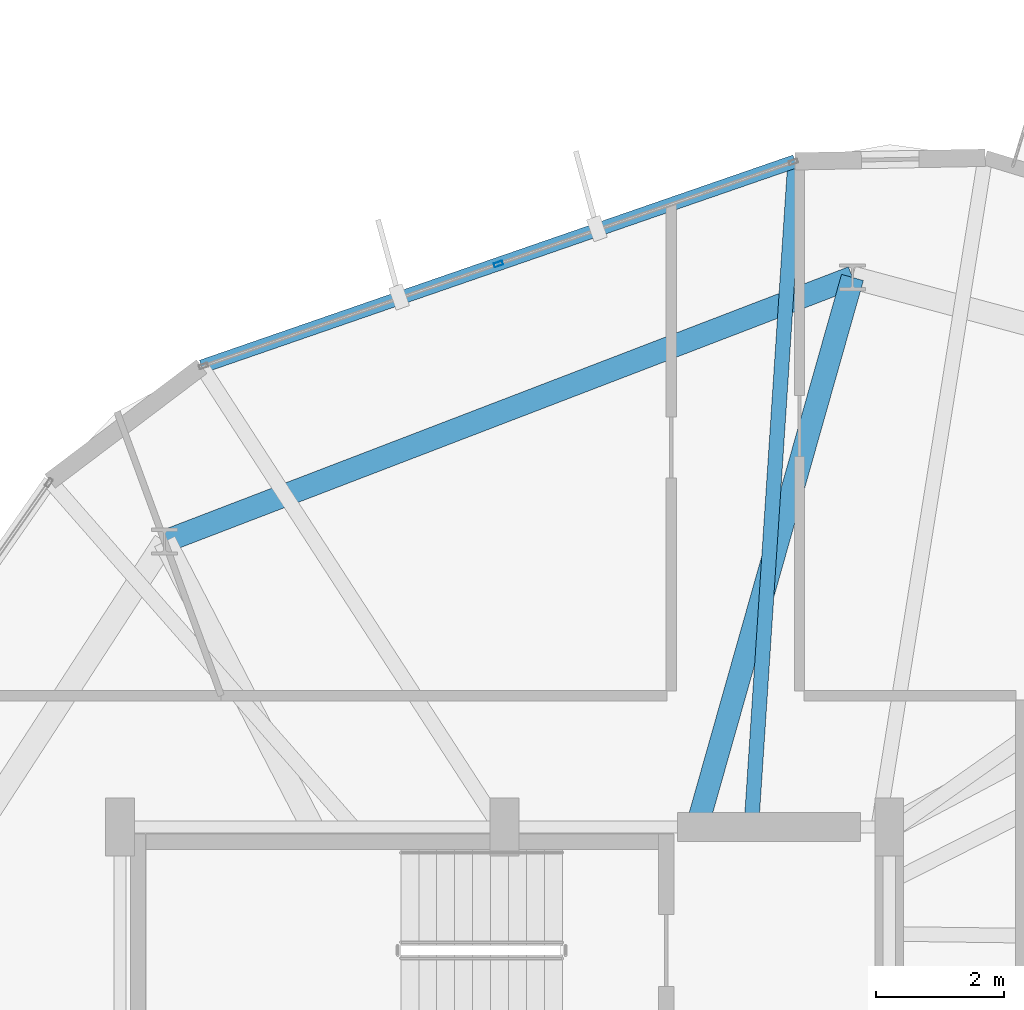
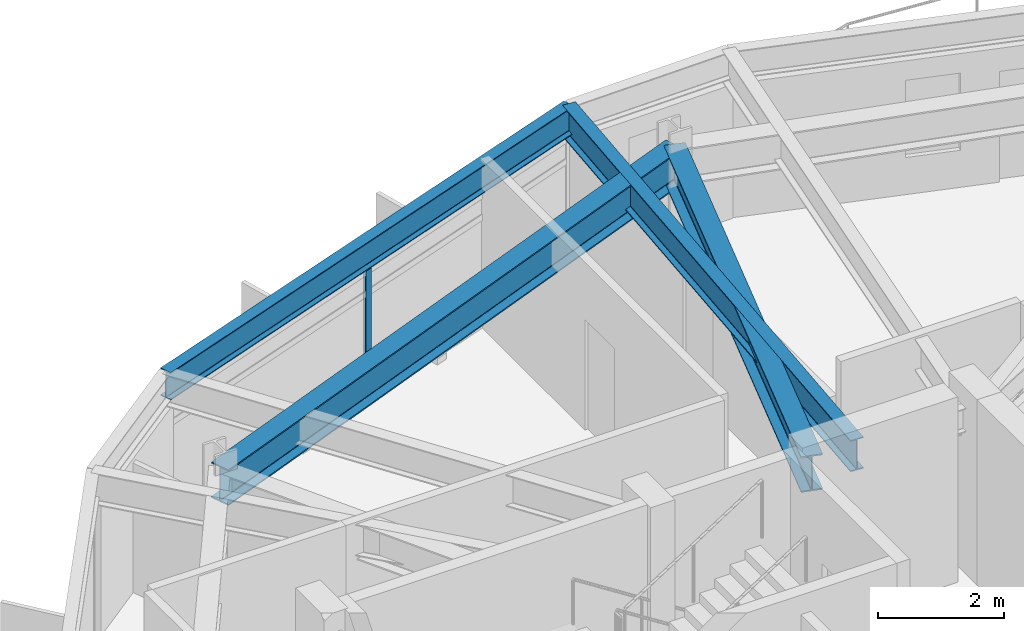
# One storey, part 21 of 34: 4 beams, 1 member, 1 element without a shape of its own.
"""IFC4 building model written with IfcOpenShell, lengths in metres."""

from ifc_helpers import new_model, si_unit, direction, frame, origin, origin_2d, place, context, subcontext, project, spatial, hollow_rectangle, i_section, extrude, material, layer, layer_set, material_profile, profile_set, type_object, element, aggregate, save


model = new_model("IFC4")

# Units and contexts
model_context = context("Model", 3, precision=1e-05, world=origin(), true_north=direction((0.0, 1.0)))
body_context = subcontext(model_context, "Body", "Model", "MODEL_VIEW")
ifc_project = project(units=[si_unit("LENGTHUNIT", "METRE"), si_unit("AREAUNIT", "SQUARE_METRE"), si_unit("VOLUMEUNIT", "CUBIC_METRE"), si_unit("PLANEANGLEUNIT", "RADIAN"), si_unit("MASSUNIT", "GRAM", prefix="KILO")], contexts=[model_context])

# Site, building, storey
site_placement = place(None, origin())
site = spatial("IfcSite", under=ifc_project, at=site_placement, CompositionType="ELEMENT")
building_placement = place(site_placement, origin())
building = spatial("IfcBuilding", under=site, at=building_placement, Name="Soratama Intermodal Tower", CompositionType="ELEMENT")
storey_placement = place(building_placement, frame((0.0, 0.0, 233.800048828125)))
storey = spatial("IfcBuildingStorey", under=building, at=storey_placement, Name="L59", CompositionType="ELEMENT", Elevation=233.800048828125)

# Beams
ifc_material_1 = material(Name="Structural steel ASTM A992 Grade 50", Category="steel")
ifc_material_profile_1 = material_profile(ifc_material_1, i_section(OverallWidth=0.35498046875, OverallDepth=0.695068359375, WebThickness=0.015380859375, FlangeThickness=0.02490234375, FilletRadius=0.01611328125, at=origin_2d()), Name="W27X146")
ifc_profile_set_1 = profile_set([ifc_material_profile_1], Name="Structural steel ASTM A992 Grade 50")
beam_type_1 = type_object("IfcBeamType", Name="BM-RING-W27X146", PredefinedType="BEAM", material=ifc_profile_set_1)
beam_1_placement = place(storey_placement, frame((44.027099609375, 43.574951171875, 2.87255859375), z_axis=(-0.933575304305, -0.358381293026, 0.0), x_axis=(0.358381293026, -0.933575304305, 0.0)))
element("IfcBeam", 1, at=beam_1_placement, inside=storey, type_object=beam_type_1, Name="BM-L59-RING-03", PredefinedType="BEAM", context=body_context, shape_type="SweptSolid", body=[
    extrude(i_section(OverallWidth=0.35498046875, OverallDepth=0.695068359375, WebThickness=0.015380859375, FlangeThickness=0.02490234375, FilletRadius=0.01611328125, at=origin_2d()), origin(), (0.0, 0.0, 1.0), 11.495849609375),
])
beam_2_placement = place(storey_placement, frame((41.60009765625, 35.0, 2.87255859375), z_axis=(0.272335865412, 0.96220225338, 0.0), x_axis=(-0.96220225338, 0.272335865412, 0.0)))
element("IfcBeam", 2, at=beam_2_placement, inside=storey, type_object=beam_type_1, Name="BM-L59-RAD-03", PredefinedType="BEAM", context=body_context, shape_type="SweptSolid", body=[
    extrude(i_section(OverallWidth=0.35498046875, OverallDepth=0.695068359375, WebThickness=0.015380859375, FlangeThickness=0.02490234375, FilletRadius=0.01611328125, at=origin_2d()), origin(), (0.0, 0.0, 1.0), 8.911865234375),
])
ifc_material_2 = material(Name="Structural steel ASTM A992 Grade 50", Category="steel")
ifc_material_profile_2 = material_profile(ifc_material_2, i_section(OverallWidth=0.2099609375, OverallDepth=0.537109375, WebThickness=0.010986328125, FlangeThickness=0.017333984375, FilletRadius=0.012939453125, at=origin_2d()), Name="W21X68")
ifc_profile_set_2 = profile_set([ifc_material_profile_2], Name="Structural steel ASTM A992 Grade 50")
beam_type_2 = type_object("IfcBeamType", Name="BM-SPN-W21X68", PredefinedType="SPANDREL", material=ifc_profile_set_2)
beam_3_placement = place(storey_placement, frame((43.132080078125, 45.385986328125, 2.951416015625), z_axis=(-0.945085281388, -0.326823822423, 0.0), x_axis=(0.326823822423, -0.945085281388, 0.0)))
element("IfcBeam", 3, at=beam_3_placement, inside=storey, type_object=beam_type_2, Name="BS-L59-F02", PredefinedType="SPANDREL", context=body_context, shape_type="SweptSolid", body=[
    extrude(i_section(OverallWidth=0.2099609375, OverallDepth=0.537109375, WebThickness=0.010986328125, FlangeThickness=0.017333984375, FilletRadius=0.012939453125, at=origin_2d()), origin(), (0.0, 0.0, 1.0), 9.797119140625),
])
ifc_material_3 = material(Name="Structural steel ASTM A992 Grade 50", Category="steel")
ifc_material_profile_3 = material_profile(ifc_material_3, i_section(OverallWidth=0.22900390625, OverallDepth=0.612060546875, WebThickness=0.011962890625, FlangeThickness=0.01953125, FilletRadius=0.012939453125, at=origin_2d()), Name="W24X84")
ifc_profile_set_3 = profile_set([ifc_material_profile_3], Name="Structural steel ASTM A992 Grade 50")
beam_type_3 = type_object("IfcBeamType", Name="BM-TIE-W24X84", PredefinedType="BEAM", material=ifc_profile_set_3)
beam_4_placement = place(storey_placement, frame((42.450927734375, 35.0400390625, 2.9140625), z_axis=(0.0656953733, 0.997839725571, 0.0), x_axis=(-0.997839725571, 0.0656953733, 0.0)))
element("IfcBeam", 4, at=beam_4_placement, inside=storey, type_object=beam_type_3, Name="BM-L59-TIE0-02", PredefinedType="BEAM", context=body_context, shape_type="SweptSolid", body=[
    extrude(i_section(OverallWidth=0.22900390625, OverallDepth=0.612060546875, WebThickness=0.011962890625, FlangeThickness=0.01953125, FilletRadius=0.012939453125, at=origin_2d()), origin(), (0.0, 0.0, 1.0), 10.368408203125),
])

# Curtain wall, member
ifc_material_4 = material(Name="Double-glazed aluminium curtain wall", Category="aluminium")
ifc_layer = layer(ifc_material_4, 0.159912109375)
ifc_layer_set = layer_set([ifc_layer], Name="Double-glazed aluminium curtain wall")
curtain_wall_type = type_object("IfcCurtainWallType", Name="CW-SYS-5", PredefinedType="NOTDEFINED", material=ifc_layer_set)
curtain_wall_placement = place(storey_placement, origin())
curtain_wall = element("IfcCurtainWall", 5, at=curtain_wall_placement, inside=storey, type_object=curtain_wall_type, Name="L59 Faceted Curtain Wall F02", PredefinedType="NOTDEFINED")
ifc_material_5 = material(Name="Anodised aluminium AA 6063-T6", Category="aluminium")
ifc_material_profile_4 = material_profile(ifc_material_5, hollow_rectangle(XDim=0.06494140625, YDim=0.139892578125, WallThickness=0.0048828125, InnerFilletRadius=0.0048828125, OuterFilletRadius=0.010009765625, at=origin_2d()), Name="CWM140X65X5")
ifc_profile_set_4 = profile_set([ifc_material_profile_4], Name="Anodised aluminium AA 6063-T6")
member_type = type_object("IfcMemberType", Name="MT-CWM-5", PredefinedType="MULLION", material=ifc_profile_set_4)
member_placement = place(storey_placement, frame((38.50244140625, 43.78515625, 0.0), z_axis=(0.0, 0.0, 1.0), x_axis=(0.326893913141, -0.945061040119, 0.0)))
member = element("IfcMember", 6, at=member_placement, type_object=member_type, Name="CW-5 mullion 2", PredefinedType="MULLION", context=body_context, shape_type="SweptSolid", body=[
    extrude(hollow_rectangle(XDim=0.06494140625, YDim=0.139892578125, WallThickness=0.0048828125, InnerFilletRadius=0.0048828125, OuterFilletRadius=0.010009765625, at=origin_2d()), origin(), (0.0, 0.0, 1.0), 2.598876953125),
])
aggregate(curtain_wall, [member])

save(model, "model.ifc")
